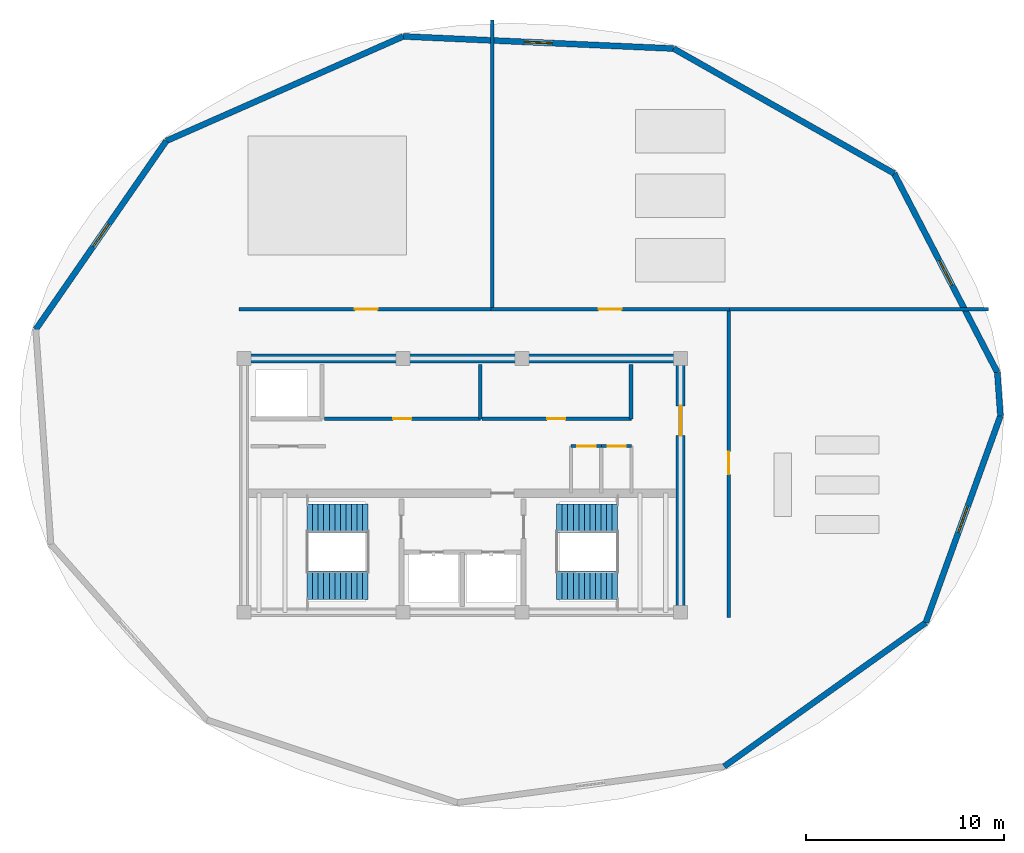
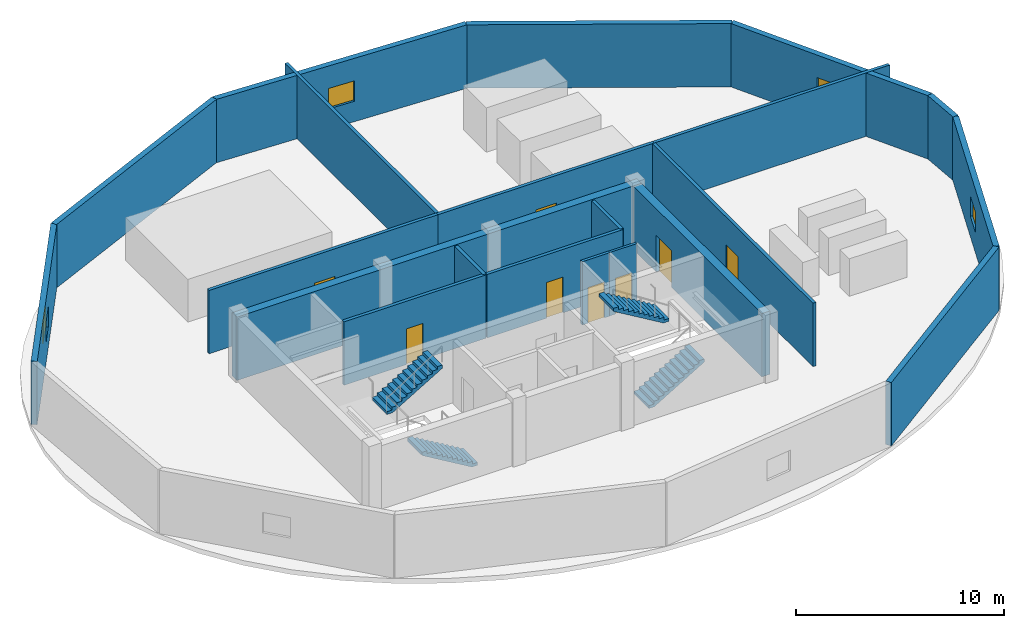
# One storey, part 2 of 5: 21 walls, 8 doors, 4 stair flights, 4 windows, 12 openings, 2 elements without a shape of their own.
"""IFC4 building model written with IfcOpenShell, lengths in metres."""

from ifc_helpers import new_model, si_unit, direction, frame, frame_2d, origin, place, context, subcontext, project, spatial, polyline, rectangle, outline, extrude, material, layer, layer_set, type_object, element, fill, aggregate, save


model = new_model("IFC4")

# Units and contexts
model_context = context("Model", 3, precision=1e-05, world=origin(), true_north=direction((0.0, 1.0)))
body_context = subcontext(model_context, "Body", "Model", "MODEL_VIEW")
ifc_project = project(units=[si_unit("LENGTHUNIT", "METRE"), si_unit("AREAUNIT", "SQUARE_METRE"), si_unit("VOLUMEUNIT", "CUBIC_METRE"), si_unit("PLANEANGLEUNIT", "RADIAN"), si_unit("MASSUNIT", "GRAM", prefix="KILO")], contexts=[model_context])

# Site, building, storey
site_placement = place(None, origin())
site = spatial("IfcSite", under=ifc_project, at=site_placement, CompositionType="ELEMENT")
building_placement = place(site_placement, origin())
building = spatial("IfcBuilding", under=site, at=building_placement, Name="Kazevale Care Tower and Concert Hall", CompositionType="ELEMENT")
storey_placement = place(building_placement, frame((0.0, 0.0, 296.800048828125)))
storey = spatial("IfcBuildingStorey", under=building, at=storey_placement, Name="L78", CompositionType="ELEMENT", Elevation=296.800048828125)

# Wall, opening, door
ifc_material_1 = material(Name="Acoustic Gypsum on Steel Stud", Category="steel")
ifc_layer_1 = layer(ifc_material_1, 0.139892578125)
ifc_layer_set_1 = layer_set([ifc_layer_1], Name="Acoustic Gypsum on Steel Stud")
wall_type_1 = type_object("IfcWallType", Name="Acoustic Care & Suite Partition 140", PredefinedType="PARTITIONING", material=ifc_layer_set_1)
wall_1_placement = place(storey_placement, frame((40.0, 31.97998046875, 0.0), z_axis=(0.0, 0.0, 1.0), x_axis=(1.0, 0.0, 0.0)))
wall_1 = element("IfcWall", 1, at=wall_1_placement, inside=storey, type_object=wall_type_1, Name="wall:L78:ka_en2", PredefinedType="PARTITIONING", context=body_context, shape_type="SweptSolid", body=[
    extrude(rectangle(XDim=1.52001953125, YDim=0.139892578125, at=frame_2d((0.760009765625, 0.0))), origin(), (0.0, 0.0, 1.0), 3.719970703125),
])
opening_1_placement = place(wall_1_placement, frame((0.320068359375, 0.0, 0.0)))
opening_1 = element("IfcOpeningElement", 2, at=opening_1_placement, cuts=wall_1, Name="Opening ID-900", PredefinedType="OPENING", context=body_context, shape_type="SweptSolid", body=[
    extrude(rectangle(XDim=0.919921875, YDim=2.10009765625, at=frame_2d((0.4599609375, 1.050048828125))), frame((0.0, 0.079833984375, 0.0), z_axis=(0.0, -1.0, 0.0), x_axis=(1.0, 0.0, 0.0)), (0.0, 0.0, 1.0), 0.159912109375),
])
ifc_material_2 = material(Name="Oak Timber Fire Leaf", Category="wood")
door_type_1 = type_object("IfcDoorType", Name="Bathroom & Service Door 920x2100", OperationType="NOTDEFINED", PredefinedType="DOOR", material=ifc_material_2)
door_1_placement = place(opening_1_placement, origin())
door_1 = element("IfcDoor", 3, at=door_1_placement, inside=storey, type_object=door_type_1, Name="door:L78:d_kae2", OperationType="SINGLE_SWING_RIGHT", OverallHeight=2.10009765625, OverallWidth=0.919921875, PredefinedType="DOOR", context=body_context, shape_type="SweptSolid", body=[
    extrude(rectangle(XDim=0.919921875, YDim=2.10009765625, at=frame_2d((0.4599609375, 1.050048828125))), frame((0.0, 0.02490234375, 0.0), z_axis=(0.0, -1.0, 0.0), x_axis=(1.0, 0.0, 0.0)), (0.0, 0.0, 1.0), 0.050048828125),
])
fill(opening_1, door_1)

# Wall
ifc_material_3 = material(Name="Concrete C50", Category="concrete")
ifc_layer_2 = layer(ifc_material_3, 0.449951171875)
ifc_layer_set_2 = layer_set([ifc_layer_2], Name="Concrete C50")
wall_type_2 = type_object("IfcWallType", Name="Core Shear Wall 450 C50", PredefinedType="SHEAR", material=ifc_layer_set_2)
wall_2_placement = place(storey_placement, frame((21.77490234375, 36.39990234375, 0.0), z_axis=(0.0, 0.0, 1.0), x_axis=(1.0, 0.0, 0.0)))
element("IfcWall", 4, at=wall_2_placement, inside=storey, type_object=wall_type_2, Name="wall:L78:core:N", PredefinedType="SHEAR", context=body_context, shape_type="SweptSolid", body=[
    extrude(rectangle(XDim=22.4501953125, YDim=0.449951171875, at=frame_2d((11.22509765625, 0.0))), origin(), (0.0, 0.0, 1.0), 3.719970703125),
])

# Wall, opening, door
wall_3_placement = place(storey_placement, frame((44.0, 23.824951171875, 0.0), z_axis=(0.0, 0.0, 1.0), x_axis=(0.0, 1.0, 0.0)))
wall_3 = element("IfcWall", 5, at=wall_3_placement, inside=storey, type_object=wall_type_2, Name="wall:L78:core:E", PredefinedType="SHEAR", context=body_context, shape_type="SweptSolid", body=[
    extrude(rectangle(XDim=12.35009765625, YDim=0.449951171875, at=frame_2d((6.175048828125, 0.0))), origin(), (0.0, 0.0, 1.0), 3.719970703125),
])
opening_2_placement = place(wall_3_placement, frame((8.675048828125, 0.0, 0.0)))
opening_2 = element("IfcOpeningElement", 6, at=opening_2_placement, cuts=wall_3, Name="Opening FD-60D", PredefinedType="OPENING", context=body_context, shape_type="SweptSolid", body=[
    extrude(rectangle(XDim=1.5, YDim=2.14990234375, at=frame_2d((0.75, 1.074951171875))), frame((0.0, 0.23486328125, 0.0), z_axis=(0.0, -1.0, 0.0), x_axis=(1.0, 0.0, 0.0)), (0.0, 0.0, 1.0), 0.469970703125),
])
door_type_2 = type_object("IfcDoorType", Name="Double Lobby & Auditorium Fire Door 1500x2150", OperationType="NOTDEFINED", PredefinedType="DOOR", material=ifc_material_2)
door_2_placement = place(opening_2_placement, origin())
door_2 = element("IfcDoor", 7, at=door_2_placement, inside=storey, type_object=door_type_2, Name="door:L78:core_east_out", OperationType="DOUBLE_DOOR_SINGLE_SWING", OverallHeight=2.14990234375, OverallWidth=1.5, PredefinedType="DOOR", context=body_context, shape_type="SweptSolid", body=[
    extrude(rectangle(XDim=1.5, YDim=2.14990234375, at=frame_2d((0.75, 1.074951171875))), frame((0.0, 0.02490234375, 0.0), z_axis=(0.0, -1.0, 0.0), x_axis=(1.0, 0.0, 0.0)), (0.0, 0.0, 1.0), 0.050048828125),
])
fill(opening_2, door_2)

# Wall, opening, window
ifc_material_4 = material(Name="Concrete C40 with Honed Limestone Cladding", Category="masonry")
ifc_layer_3 = layer(ifc_material_4, 0.300048828125)
ifc_layer_set_3 = layer_set([ifc_layer_3], Name="Concrete C40 with Honed Limestone Cladding")
wall_type_3 = type_object("IfcWallType", Name="Crown Drum Louvred Stone Wall 300", PredefinedType="STANDARD", material=ifc_layer_set_3)
wall_4_placement = place(storey_placement, frame((60.1201171875, 33.5, 0.0), z_axis=(0.0, 0.0, 1.0), x_axis=(-0.339587618367, -0.940574425259, 0.0)))
wall_4 = element("IfcWall", 8, at=wall_4_placement, inside=storey, type_object=wall_type_3, Name="wall:L78:drum:01", PredefinedType="STANDARD", context=body_context, shape_type="SweptSolid", body=[
    extrude(rectangle(XDim=11.08154296875, YDim=0.300048828125, at=frame_2d((5.540771484375, 0.0))), origin(), (0.0, 0.0, 1.0), 3.719970703125),
])
opening_3_placement = place(wall_4_placement, frame((4.841064453125, 0.0, 1.199951171875)))
opening_3 = element("IfcOpeningElement", 9, at=opening_3_placement, cuts=wall_4, Name="Opening WIN-4", PredefinedType="OPENING", context=body_context, shape_type="SweptSolid", body=[
    extrude(rectangle(XDim=1.39990234375, YDim=1.199951171875, at=frame_2d((0.699951171875, 0.60009765625))), frame((0.0, 0.159912109375, 0.0), z_axis=(0.0, -1.0, 0.0), x_axis=(1.0, 0.0, 0.0)), (0.0, 0.0, 1.0), 0.320068359375),
])
ifc_material_5 = material(Name="Aluminium 6063-T6", Category="aluminium")
window_type = type_object("IfcWindowType", Name="Crown Plant Louvred Window 1400x1200", PartitioningType="SINGLE_PANEL", PredefinedType="WINDOW", material=ifc_material_5)
window_1_placement = place(opening_3_placement, origin())
window_1 = element("IfcWindow", 10, at=window_1_placement, inside=storey, type_object=window_type, Name="win:L78:drum:01", OverallHeight=1.199951171875, OverallWidth=1.39990234375, PartitioningType="SINGLE_PANEL", PredefinedType="WINDOW", context=body_context, shape_type="SweptSolid", body=[
    extrude(rectangle(XDim=1.39990234375, YDim=1.199951171875, at=frame_2d((0.699951171875, 0.60009765625))), frame((0.0, 0.030029296875, 0.0), z_axis=(0.0, -1.0, 0.0), x_axis=(1.0, 0.0, 0.0)), (0.0, 0.0, 1.0), 0.06005859375),
])
fill(opening_3, window_1)

# Wall
wall_5_placement = place(storey_placement, frame((56.35693359375, 23.076904296875, 0.0), z_axis=(0.0, 0.0, 1.0), x_axis=(-0.814111303181, -0.580708865123, 0.0)))
element("IfcWall", 11, at=wall_5_placement, inside=storey, type_object=wall_type_3, Name="wall:L78:drum:02", PredefinedType="STANDARD", context=body_context, shape_type="SweptSolid", body=[
    extrude(rectangle(XDim=12.48095703125, YDim=0.300048828125, at=frame_2d((6.240478515625, 0.0))), origin(), (0.0, 0.0, 1.0), 3.719970703125),
])

# Wall, opening, window
wall_6_placement = place(storey_placement, frame((11.4951171875, 37.85595703125, 0.0), z_axis=(0.0, 0.0, 1.0), x_axis=(0.569269280193, 0.822151133691, 0.0)))
wall_6 = element("IfcWall", 12, at=wall_6_placement, inside=storey, type_object=wall_type_3, Name="wall:L78:drum:07", PredefinedType="STANDARD", context=body_context, shape_type="SweptSolid", body=[
    extrude(rectangle(XDim=11.56005859375, YDim=0.300048828125, at=frame_2d((5.780029296875, 0.0))), origin(), (0.0, 0.0, 1.0), 3.719970703125),
])
opening_4_placement = place(wall_6_placement, frame((5.080078125, 0.0, 1.199951171875)))
opening_4 = element("IfcOpeningElement", 13, at=opening_4_placement, cuts=wall_6, Name="Opening WIN-4", PredefinedType="OPENING", context=body_context, shape_type="SweptSolid", body=[
    extrude(rectangle(XDim=1.39990234375, YDim=1.199951171875, at=frame_2d((0.699951171875, 0.60009765625))), frame((0.0, 0.159912109375, 0.0), z_axis=(0.0, -1.0, 0.0), x_axis=(1.0, 0.0, 0.0)), (0.0, 0.0, 1.0), 0.320068359375),
])
window_2_placement = place(opening_4_placement, origin())
window_2 = element("IfcWindow", 14, at=window_2_placement, inside=storey, type_object=window_type, Name="win:L78:drum:07", OverallHeight=1.199951171875, OverallWidth=1.39990234375, PartitioningType="SINGLE_PANEL", PredefinedType="WINDOW", context=body_context, shape_type="SweptSolid", body=[
    extrude(rectangle(XDim=1.39990234375, YDim=1.199951171875, at=frame_2d((0.699951171875, 0.60009765625))), frame((0.0, 0.030029296875, 0.0), z_axis=(0.0, -1.0, 0.0), x_axis=(1.0, 0.0, 0.0)), (0.0, 0.0, 1.0), 0.06005859375),
])
fill(opening_4, window_2)

# Wall
wall_7_placement = place(storey_placement, frame((18.075927734375, 47.360107421875, 0.0), z_axis=(0.0, 0.0, 1.0), x_axis=(0.914943001047, 0.40358308294, 0.0)))
element("IfcWall", 15, at=wall_7_placement, inside=storey, type_object=wall_type_3, Name="wall:L78:drum:08", PredefinedType="STANDARD", context=body_context, shape_type="SweptSolid", body=[
    extrude(rectangle(XDim=13.0478515625, YDim=0.300048828125, at=frame_2d((6.52392578125, 0.0))), origin(), (0.0, 0.0, 1.0), 3.719970703125),
])

# Wall, opening, window
wall_8_placement = place(storey_placement, frame((30.013916015625, 52.6259765625, 0.0), z_axis=(0.0, 0.0, 1.0), x_axis=(0.998996211569, -0.04479474602, 0.0)))
wall_8 = element("IfcWall", 16, at=wall_8_placement, inside=storey, type_object=wall_type_3, Name="wall:L78:drum:09", PredefinedType="STANDARD", context=body_context, shape_type="SweptSolid", body=[
    extrude(rectangle(XDim=13.641845703125, YDim=0.300048828125, at=frame_2d((6.82080078125, 0.0))), origin(), (0.0, 0.0, 1.0), 3.719970703125),
])
opening_5_placement = place(wall_8_placement, frame((6.12109375, 0.0, 1.199951171875)))
opening_5 = element("IfcOpeningElement", 17, at=opening_5_placement, cuts=wall_8, Name="Opening WIN-4", PredefinedType="OPENING", context=body_context, shape_type="SweptSolid", body=[
    extrude(rectangle(XDim=1.39990234375, YDim=1.199951171875, at=frame_2d((0.699951171875, 0.60009765625))), frame((0.0, 0.159912109375, 0.0), z_axis=(0.0, -1.0, 0.0), x_axis=(1.0, 0.0, 0.0)), (0.0, 0.0, 1.0), 0.320068359375),
])
window_3_placement = place(opening_5_placement, origin())
window_3 = element("IfcWindow", 18, at=window_3_placement, inside=storey, type_object=window_type, Name="win:L78:drum:09", OverallHeight=1.199951171875, OverallWidth=1.39990234375, PartitioningType="SINGLE_PANEL", PredefinedType="WINDOW", context=body_context, shape_type="SweptSolid", body=[
    extrude(rectangle(XDim=1.39990234375, YDim=1.199951171875, at=frame_2d((0.699951171875, 0.60009765625))), frame((0.0, 0.030029296875, 0.0), z_axis=(0.0, -1.0, 0.0), x_axis=(1.0, 0.0, 0.0)), (0.0, 0.0, 1.0), 0.06005859375),
])
fill(opening_5, window_3)

# Wall
wall_9_placement = place(storey_placement, frame((43.64208984375, 52.014892578125, 0.0), z_axis=(0.0, 0.0, 1.0), x_axis=(0.870169378253, -0.492752730232, 0.0)))
element("IfcWall", 19, at=wall_9_placement, inside=storey, type_object=wall_type_3, Name="wall:L78:drum:10", PredefinedType="STANDARD", context=body_context, shape_type="SweptSolid", body=[
    extrude(rectangle(XDim=12.779052734375, YDim=0.300048828125, at=frame_2d((6.3896484375, 0.0))), origin(), (0.0, 0.0, 1.0), 3.719970703125),
])

# Wall, opening, window
wall_10_placement = place(storey_placement, frame((54.761962890625, 45.718017578125, 0.0), z_axis=(0.0, 0.0, 1.0), x_axis=(0.460623742834, -0.8875954977, 0.0)))
wall_10 = element("IfcWall", 20, at=wall_10_placement, inside=storey, type_object=wall_type_3, Name="wall:L78:drum:11", PredefinedType="STANDARD", context=body_context, shape_type="SweptSolid", body=[
    extrude(rectangle(XDim=11.2958984375, YDim=0.300048828125, at=frame_2d((5.64794921875, 0.0))), origin(), (0.0, 0.0, 1.0), 3.719970703125),
])
opening_6_placement = place(wall_10_placement, frame((4.947998046875, 0.0, 1.199951171875)))
opening_6 = element("IfcOpeningElement", 21, at=opening_6_placement, cuts=wall_10, Name="Opening WIN-4", PredefinedType="OPENING", context=body_context, shape_type="SweptSolid", body=[
    extrude(rectangle(XDim=1.39990234375, YDim=1.199951171875, at=frame_2d((0.699951171875, 0.60009765625))), frame((0.0, 0.159912109375, 0.0), z_axis=(0.0, -1.0, 0.0), x_axis=(1.0, 0.0, 0.0)), (0.0, 0.0, 1.0), 0.320068359375),
])
window_4_placement = place(opening_6_placement, origin())
window_4 = element("IfcWindow", 22, at=window_4_placement, inside=storey, type_object=window_type, Name="win:L78:drum:11", OverallHeight=1.199951171875, OverallWidth=1.39990234375, PartitioningType="SINGLE_PANEL", PredefinedType="WINDOW", context=body_context, shape_type="SweptSolid", body=[
    extrude(rectangle(XDim=1.39990234375, YDim=1.199951171875, at=frame_2d((0.699951171875, 0.60009765625))), frame((0.0, 0.030029296875, 0.0), z_axis=(0.0, -1.0, 0.0), x_axis=(1.0, 0.0, 0.0)), (0.0, 0.0, 1.0), 0.06005859375),
])
fill(opening_6, window_4)

# Wall
wall_11_placement = place(storey_placement, frame((59.965087890625, 35.69189453125, 0.0), z_axis=(0.0, 0.0, 1.0), x_axis=(0.070552198309, -0.997508088846, 0.0)))
element("IfcWall", 23, at=wall_11_placement, inside=storey, type_object=wall_type_3, Name="wall:L78:drum:12", PredefinedType="STANDARD", context=body_context, shape_type="SweptSolid", body=[
    extrude(rectangle(XDim=2.197265625, YDim=0.300048828125, at=frame_2d((1.0986328125, 0.0))), origin(), (0.0, 0.0, 1.0), 3.719970703125),
])

# Wall, opening, door
ifc_material_6 = material(Name="Concrete C40 and Acoustic Gypsum", Category="concrete")
ifc_layer_4 = layer(ifc_material_6, 0.179931640625)
ifc_layer_set_4 = layer_set([ifc_layer_4], Name="Concrete C40 and Acoustic Gypsum")
wall_type_4 = type_object("IfcWallType", Name="Fire-Rated Corridor & Party Wall 180", PredefinedType="PARTITIONING", material=ifc_layer_set_4)
wall_12_placement = place(storey_placement, frame((26.050048828125, 33.35009765625, 0.0), z_axis=(0.0, 0.0, 1.0), x_axis=(1.0, 0.0, 0.0)))
wall_12 = element("IfcWall", 24, at=wall_12_placement, inside=storey, type_object=wall_type_4, Name="wall:L78:c_cps_s", PredefinedType="PARTITIONING", context=body_context, shape_type="SweptSolid", body=[
    extrude(rectangle(XDim=7.869873046875, YDim=0.179931640625, at=frame_2d((3.93505859375, 0.0))), origin(), (0.0, 0.0, 1.0), 3.719970703125),
])
opening_7_placement = place(wall_12_placement, frame((3.4599609375, 0.0, 0.0)))
opening_7 = element("IfcOpeningElement", 25, at=opening_7_placement, cuts=wall_12, Name="Opening ID-900", PredefinedType="OPENING", context=body_context, shape_type="SweptSolid", body=[
    extrude(rectangle(XDim=0.919921875, YDim=2.10009765625, at=frame_2d((0.4599609375, 1.050048828125))), frame((0.0, 0.099853515625, 0.0), z_axis=(0.0, -1.0, 0.0), x_axis=(1.0, 0.0, 0.0)), (0.0, 0.0, 1.0), 0.199951171875),
])
door_3_placement = place(opening_7_placement, origin())
door_3 = element("IfcDoor", 26, at=door_3_placement, inside=storey, type_object=door_type_1, Name="door:L78:d_cps", OperationType="SINGLE_SWING_LEFT", OverallHeight=2.10009765625, OverallWidth=0.919921875, PredefinedType="DOOR", context=body_context, shape_type="SweptSolid", body=[
    extrude(rectangle(XDim=0.919921875, YDim=2.10009765625, at=frame_2d((0.4599609375, 1.050048828125))), frame((0.0, 0.02490234375, 0.0), z_axis=(0.0, -1.0, 0.0), x_axis=(1.0, 0.0, 0.0)), (0.0, 0.0, 1.0), 0.050048828125),
])
fill(opening_7, door_3)

# Wall
wall_13_placement = place(storey_placement, frame((33.89990234375, 33.35009765625, 0.0), z_axis=(0.0, 0.0, 1.0), x_axis=(0.0, 1.0, 0.0)))
element("IfcWall", 27, at=wall_13_placement, inside=storey, type_object=wall_type_4, Name="wall:L78:c_cps_e", PredefinedType="PARTITIONING", context=body_context, shape_type="SweptSolid", body=[
    extrude(rectangle(XDim=2.75, YDim=0.179931640625, at=frame_2d((1.375, 0.0))), origin(), (0.0, 0.0, 1.0), 3.719970703125),
])

# Wall, opening, door
wall_14_placement = place(storey_placement, frame((33.97998046875, 33.35009765625, 0.0), z_axis=(0.0, 0.0, 1.0), x_axis=(1.0, 0.0, 0.0)))
wall_14 = element("IfcWall", 28, at=wall_14_placement, inside=storey, type_object=wall_type_4, Name="wall:L78:c_pma_s", PredefinedType="PARTITIONING", context=body_context, shape_type="SweptSolid", body=[
    extrude(rectangle(XDim=7.5400390625, YDim=0.179931640625, at=frame_2d((3.77001953125, 0.0))), origin(), (0.0, 0.0, 1.0), 3.719970703125),
])
opening_8_placement = place(wall_14_placement, frame((3.294921875, 0.0, 0.0)))
opening_8 = element("IfcOpeningElement", 29, at=opening_8_placement, cuts=wall_14, Name="Opening ID-900", PredefinedType="OPENING", context=body_context, shape_type="SweptSolid", body=[
    extrude(rectangle(XDim=0.919921875, YDim=2.10009765625, at=frame_2d((0.4599609375, 1.050048828125))), frame((0.0, 0.099853515625, 0.0), z_axis=(0.0, -1.0, 0.0), x_axis=(1.0, 0.0, 0.0)), (0.0, 0.0, 1.0), 0.199951171875),
])
door_4_placement = place(opening_8_placement, origin())
door_4 = element("IfcDoor", 30, at=door_4_placement, inside=storey, type_object=door_type_1, Name="door:L78:d_pma", OperationType="SINGLE_SWING_LEFT", OverallHeight=2.10009765625, OverallWidth=0.919921875, PredefinedType="DOOR", context=body_context, shape_type="SweptSolid", body=[
    extrude(rectangle(XDim=0.919921875, YDim=2.10009765625, at=frame_2d((0.4599609375, 1.050048828125))), frame((0.0, 0.02490234375, 0.0), z_axis=(0.0, -1.0, 0.0), x_axis=(1.0, 0.0, 0.0)), (0.0, 0.0, 1.0), 0.050048828125),
])
fill(opening_8, door_4)

# Wall
wall_15_placement = place(storey_placement, frame((41.5, 33.35009765625, 0.0), z_axis=(0.0, 0.0, 1.0), x_axis=(0.0, 1.0, 0.0)))
element("IfcWall", 31, at=wall_15_placement, inside=storey, type_object=wall_type_4, Name="wall:L78:c_pma_e", PredefinedType="PARTITIONING", context=body_context, shape_type="SweptSolid", body=[
    extrude(rectangle(XDim=2.75, YDim=0.179931640625, at=frame_2d((1.375, 0.0))), origin(), (0.0, 0.0, 1.0), 3.719970703125),
])

# Wall, opening, door
wall_16_placement = place(storey_placement, frame((21.7451171875, 38.875, 0.0), z_axis=(0.0, 0.0, 1.0), x_axis=(1.0, 0.0, 0.0)))
wall_16 = element("IfcWall", 32, at=wall_16_placement, inside=storey, type_object=wall_type_4, Name="wall:L78:auto_001", PredefinedType="PARTITIONING", context=body_context, shape_type="SweptSolid", body=[
    extrude(rectangle(XDim=12.81982421875, YDim=0.179931640625, at=frame_2d((6.409912109375, 0.0))), origin(), (0.0, 0.0, 1.0), 3.719970703125),
])
opening_9_placement = place(wall_16_placement, frame((5.8349609375, 0.0, 0.0)))
opening_9 = element("IfcOpeningElement", 33, at=opening_9_placement, cuts=wall_16, Name="Opening FD-90", PredefinedType="OPENING", context=body_context, shape_type="SweptSolid", body=[
    extrude(rectangle(XDim=1.14990234375, YDim=2.10009765625, at=frame_2d((0.574951171875, 1.050048828125))), frame((0.0, 0.099853515625, 0.0), z_axis=(0.0, -1.0, 0.0), x_axis=(1.0, 0.0, 0.0)), (0.0, 0.0, 1.0), 0.199951171875),
])
ifc_material_7 = material(Name="Steel ASTM A572 Gr 50", Category="steel")
door_type_3 = type_object("IfcDoorType", Name="Pressurized Stair & Lobby Fire Door 1150x2100", OperationType="NOTDEFINED", PredefinedType="DOOR", material=ifc_material_7)
door_5_placement = place(opening_9_placement, origin())
door_5 = element("IfcDoor", 34, at=door_5_placement, inside=storey, type_object=door_type_3, Name="door:L78:ad_001", OperationType="SINGLE_SWING_LEFT", OverallHeight=2.10009765625, OverallWidth=1.14990234375, PredefinedType="DOOR", context=body_context, shape_type="SweptSolid", body=[
    extrude(rectangle(XDim=1.14990234375, YDim=2.10009765625, at=frame_2d((0.574951171875, 1.050048828125))), frame((0.0, 0.02490234375, 0.0), z_axis=(0.0, -1.0, 0.0), x_axis=(1.0, 0.0, 0.0)), (0.0, 0.0, 1.0), 0.050048828125),
])
fill(opening_9, door_5)

wall_17_placement = place(storey_placement, frame((34.43505859375, 38.875, 0.0), z_axis=(0.0, 0.0, 1.0), x_axis=(1.0, 0.0, 0.0)))
wall_17 = element("IfcWall", 35, at=wall_17_placement, inside=storey, type_object=wall_type_4, Name="wall:L78:auto_002", PredefinedType="PARTITIONING", context=body_context, shape_type="SweptSolid", body=[
    extrude(rectangle(XDim=12.02001953125, YDim=0.179931640625, at=frame_2d((6.010009765625, 0.0))), origin(), (0.0, 0.0, 1.0), 3.719970703125),
])
opening_10_placement = place(wall_17_placement, frame((5.43505859375, 0.0, 0.0)))
opening_10 = element("IfcOpeningElement", 36, at=opening_10_placement, cuts=wall_17, Name="Opening FD-90", PredefinedType="OPENING", context=body_context, shape_type="SweptSolid", body=[
    extrude(rectangle(XDim=1.14990234375, YDim=2.10009765625, at=frame_2d((0.574951171875, 1.050048828125))), frame((0.0, 0.099853515625, 0.0), z_axis=(0.0, -1.0, 0.0), x_axis=(1.0, 0.0, 0.0)), (0.0, 0.0, 1.0), 0.199951171875),
])
door_6_placement = place(opening_10_placement, origin())
door_6 = element("IfcDoor", 37, at=door_6_placement, inside=storey, type_object=door_type_3, Name="door:L78:ad_002", OperationType="SINGLE_SWING_LEFT", OverallHeight=2.10009765625, OverallWidth=1.14990234375, PredefinedType="DOOR", context=body_context, shape_type="SweptSolid", body=[
    extrude(rectangle(XDim=1.14990234375, YDim=2.10009765625, at=frame_2d((0.574951171875, 1.050048828125))), frame((0.0, 0.02490234375, 0.0), z_axis=(0.0, -1.0, 0.0), x_axis=(1.0, 0.0, 0.0)), (0.0, 0.0, 1.0), 0.050048828125),
])
fill(opening_10, door_6)

wall_18_placement = place(storey_placement, frame((46.425048828125, 38.905029296875, 0.0), z_axis=(0.0, 0.0, 1.0), x_axis=(0.0, -1.0, 0.0)))
wall_18 = element("IfcWall", 38, at=wall_18_placement, inside=storey, type_object=wall_type_4, Name="wall:L78:auto_003", PredefinedType="PARTITIONING", context=body_context, shape_type="SweptSolid", body=[
    extrude(rectangle(XDim=15.56005859375, YDim=0.179931640625, at=frame_2d((7.780029296875, 0.0))), origin(), (0.0, 0.0, 1.0), 3.719970703125),
])
opening_11_placement = place(wall_18_placement, frame((7.205078125, 0.0, 0.0)))
opening_11 = element("IfcOpeningElement", 39, at=opening_11_placement, cuts=wall_18, Name="Opening FD-90", PredefinedType="OPENING", context=body_context, shape_type="SweptSolid", body=[
    extrude(rectangle(XDim=1.14990234375, YDim=2.10009765625, at=frame_2d((0.574951171875, 1.050048828125))), frame((0.0, 0.099853515625, 0.0), z_axis=(0.0, -1.0, 0.0), x_axis=(1.0, 0.0, 0.0)), (0.0, 0.0, 1.0), 0.199951171875),
])
door_7_placement = place(opening_11_placement, origin())
door_7 = element("IfcDoor", 40, at=door_7_placement, inside=storey, type_object=door_type_3, Name="door:L78:ad_003", OperationType="SINGLE_SWING_LEFT", OverallHeight=2.10009765625, OverallWidth=1.14990234375, PredefinedType="DOOR", context=body_context, shape_type="SweptSolid", body=[
    extrude(rectangle(XDim=1.14990234375, YDim=2.10009765625, at=frame_2d((0.574951171875, 1.050048828125))), frame((0.0, 0.02490234375, 0.0), z_axis=(0.0, -1.0, 0.0), x_axis=(1.0, 0.0, 0.0)), (0.0, 0.0, 1.0), 0.050048828125),
])
fill(opening_11, door_7)

# Walls
wall_19_placement = place(storey_placement, frame((34.5, 53.455078125, 0.0), z_axis=(0.0, 0.0, 1.0), x_axis=(0.0, -1.0, 0.0)))
element("IfcWall", 41, at=wall_19_placement, inside=storey, type_object=wall_type_4, Name="wall:L78:auto_004", PredefinedType="PARTITIONING", context=body_context, shape_type="SweptSolid", body=[
    extrude(rectangle(XDim=14.610107421875, YDim=0.179931640625, at=frame_2d((7.30517578125, 0.0))), origin(), (0.0, 0.0, 1.0), 3.719970703125),
])
wall_20_placement = place(storey_placement, frame((59.51708984375, 38.875, 0.0), z_axis=(0.0, 0.0, 1.0), x_axis=(-1.0, 0.0, 0.0)))
element("IfcWall", 42, at=wall_20_placement, inside=storey, type_object=wall_type_4, Name="wall:L78:auto_005", PredefinedType="PARTITIONING", context=body_context, shape_type="SweptSolid", body=[
    extrude(rectangle(XDim=13.156982421875, YDim=0.179931640625, at=frame_2d((6.57861328125, 0.0))), origin(), (0.0, 0.0, 1.0), 3.719970703125),
])

# Wall, opening, door
ifc_layer_5 = layer(ifc_material_1, 0.159912109375)
ifc_layer_set_5 = layer_set([ifc_layer_5], Name="Acoustic Gypsum on Steel Stud")
wall_type_5 = type_object("IfcWallType", Name="Moisture-Resistant Bathroom Plumbing Wall 160", PredefinedType="PLUMBINGWALL", material=ifc_layer_set_5)
wall_21_placement = place(storey_placement, frame((38.47998046875, 31.97998046875, 0.0), z_axis=(0.0, 0.0, 1.0), x_axis=(1.0, 0.0, 0.0)))
wall_21 = element("IfcWall", 43, at=wall_21_placement, inside=storey, type_object=wall_type_5, Name="wall:L78:ka_en1", PredefinedType="PLUMBINGWALL", context=body_context, shape_type="SweptSolid", body=[
    extrude(rectangle(XDim=1.52001953125, YDim=0.159912109375, at=frame_2d((0.760009765625, 0.0))), origin(), (0.0, 0.0, 1.0), 3.719970703125),
])
opening_12_placement = place(wall_21_placement, frame((0.320068359375, 0.0, 0.0)))
opening_12 = element("IfcOpeningElement", 44, at=opening_12_placement, cuts=wall_21, Name="Opening ID-900", PredefinedType="OPENING", context=body_context, shape_type="SweptSolid", body=[
    extrude(rectangle(XDim=0.919921875, YDim=2.10009765625, at=frame_2d((0.4599609375, 1.050048828125))), frame((0.0, 0.08984375, 0.0), z_axis=(0.0, -1.0, 0.0), x_axis=(1.0, 0.0, 0.0)), (0.0, 0.0, 1.0), 0.179931640625),
])
door_8_placement = place(opening_12_placement, origin())
door_8 = element("IfcDoor", 45, at=door_8_placement, inside=storey, type_object=door_type_1, Name="door:L78:d_kae1", OperationType="SINGLE_SWING_LEFT", OverallHeight=2.10009765625, OverallWidth=0.919921875, PredefinedType="DOOR", context=body_context, shape_type="SweptSolid", body=[
    extrude(rectangle(XDim=0.919921875, YDim=2.10009765625, at=frame_2d((0.4599609375, 1.050048828125))), frame((0.0, 0.02490234375, 0.0), z_axis=(0.0, -1.0, 0.0), x_axis=(1.0, 0.0, 0.0)), (0.0, 0.0, 1.0), 0.050048828125),
])
fill(opening_12, door_8)

# Stair, stair flights
ifc_material_8 = material(Name="Concrete C40", Category="concrete")
stair_type = type_object("IfcStairType", Name="Exit Stair Assembly ST1-C", PredefinedType="HALF_TURN_STAIR", material=ifc_material_8)
stair_1_placement = place(storey_placement, origin())
stair_1 = element("IfcStair", 46, at=stair_1_placement, inside=storey, type_object=stair_type, Name="stair:L78:ST1", PredefinedType="HALF_TURN_STAIR")
ifc_layer_6 = layer(ifc_material_8, 0.159912109375)
ifc_layer_set_6 = layer_set([ifc_layer_6], Name="Concrete C40")
stair_flight_type = type_object("IfcStairFlightType", Name="Exit Stair Flight ST1-C", PredefinedType="STRAIGHT", material=ifc_layer_set_6)
stair_flight_1_placement = place(storey_placement, frame((28.25, 24.9599609375, 0.0), z_axis=(0.0, 0.0, 1.0), x_axis=(-1.0, 0.0, 0.0)))
stair_flight_1 = element("IfcStairFlight", 47, at=stair_flight_1_placement, type_object=stair_flight_type, Name="ST1-C flight 1", NumberOfRisers=12, NumberOfTreads=11, PredefinedType="STRAIGHT", RiserHeight=0.166667, TreadLength=0.28, context=body_context, shape_type="SweptSolid", body=[
    extrude(outline(polyline([(0.0, 0.0), (0.0, 0.166748046875), (0.280029296875, 0.166748046875), (0.280029296875, 0.333251953125), (0.56005859375, 0.333251953125), (0.56005859375, 0.5), (0.840087890625, 0.5), (0.840087890625, 0.666748046875), (1.1201171875, 0.666748046875), (1.1201171875, 0.833251953125), (1.39990234375, 0.833251953125), (1.39990234375, 1.0), (1.679931640625, 1.0), (1.679931640625, 1.166748046875), (1.9599609375, 1.166748046875), (1.9599609375, 1.333251953125), (2.239990234375, 1.333251953125), (2.239990234375, 1.5), (2.52001953125, 1.5), (2.52001953125, 1.666748046875), (2.800048828125, 1.666748046875), (2.800048828125, 1.833251953125), (3.080078125, 1.833251953125), (3.080078125, 2.0), (3.080078125, 1.647216796875), (0.312744140625, 0.0), (0.0, 0.0)])), frame((0.0, 0.7099609375, 0.0), z_axis=(0.0, -1.0, 0.0), x_axis=(1.0, 0.0, 0.0)), (0.0, 0.0, 1.0), 1.419921875),
])
stair_flight_2_placement = place(storey_placement, frame((25.169921875, 28.340087890625, 2.0), z_axis=(0.0, 0.0, 1.0), x_axis=(1.0, 0.0, 0.0)))
stair_flight_2 = element("IfcStairFlight", 48, at=stair_flight_2_placement, type_object=stair_flight_type, Name="ST1-C flight 2", NumberOfRisers=12, NumberOfTreads=11, PredefinedType="STRAIGHT", RiserHeight=0.166667, TreadLength=0.28, context=body_context, shape_type="SweptSolid", body=[
    extrude(outline(polyline([(0.0, 0.0), (0.0, 0.166748046875), (0.280029296875, 0.166748046875), (0.280029296875, 0.333251953125), (0.56005859375, 0.333251953125), (0.56005859375, 0.5), (0.840087890625, 0.5), (0.840087890625, 0.666748046875), (1.1201171875, 0.666748046875), (1.1201171875, 0.833251953125), (1.39990234375, 0.833251953125), (1.39990234375, 1.0), (1.679931640625, 1.0), (1.679931640625, 1.166748046875), (1.9599609375, 1.166748046875), (1.9599609375, 1.333251953125), (2.239990234375, 1.333251953125), (2.239990234375, 1.5), (2.52001953125, 1.5), (2.52001953125, 1.666748046875), (2.800048828125, 1.666748046875), (2.800048828125, 1.833251953125), (3.080078125, 1.833251953125), (3.080078125, 2.0), (3.080078125, 1.647216796875), (0.312744140625, 0.0), (0.0, 0.0)])), frame((0.0, 0.7099609375, 0.0), z_axis=(0.0, -1.0, 0.0), x_axis=(1.0, 0.0, 0.0)), (0.0, 0.0, 1.0), 1.419921875),
])
aggregate(stair_1, [stair_flight_1, stair_flight_2])

stair_2_placement = place(storey_placement, origin())
stair_2 = element("IfcStair", 49, at=stair_2_placement, inside=storey, type_object=stair_type, Name="stair:L78:ST2", PredefinedType="HALF_TURN_STAIR")
stair_flight_3_placement = place(storey_placement, frame((37.75, 24.9599609375, 0.0), z_axis=(0.0, 0.0, 1.0), x_axis=(1.0, 0.0, 0.0)))
stair_flight_3 = element("IfcStairFlight", 50, at=stair_flight_3_placement, type_object=stair_flight_type, Name="ST1-C flight 1", NumberOfRisers=12, NumberOfTreads=11, PredefinedType="STRAIGHT", RiserHeight=0.166667, TreadLength=0.28, context=body_context, shape_type="SweptSolid", body=[
    extrude(outline(polyline([(0.0, 0.0), (0.0, 0.166748046875), (0.280029296875, 0.166748046875), (0.280029296875, 0.333251953125), (0.56005859375, 0.333251953125), (0.56005859375, 0.5), (0.840087890625, 0.5), (0.840087890625, 0.666748046875), (1.1201171875, 0.666748046875), (1.1201171875, 0.833251953125), (1.39990234375, 0.833251953125), (1.39990234375, 1.0), (1.679931640625, 1.0), (1.679931640625, 1.166748046875), (1.9599609375, 1.166748046875), (1.9599609375, 1.333251953125), (2.239990234375, 1.333251953125), (2.239990234375, 1.5), (2.52001953125, 1.5), (2.52001953125, 1.666748046875), (2.800048828125, 1.666748046875), (2.800048828125, 1.833251953125), (3.080078125, 1.833251953125), (3.080078125, 2.0), (3.080078125, 1.647216796875), (0.312744140625, 0.0), (0.0, 0.0)])), frame((0.0, 0.7099609375, 0.0), z_axis=(0.0, -1.0, 0.0), x_axis=(1.0, 0.0, 0.0)), (0.0, 0.0, 1.0), 1.419921875),
])
stair_flight_4_placement = place(storey_placement, frame((40.830078125, 28.340087890625, 2.0), z_axis=(0.0, 0.0, 1.0), x_axis=(-1.0, 0.0, 0.0)))
stair_flight_4 = element("IfcStairFlight", 51, at=stair_flight_4_placement, type_object=stair_flight_type, Name="ST1-C flight 2", NumberOfRisers=12, NumberOfTreads=11, PredefinedType="STRAIGHT", RiserHeight=0.166667, TreadLength=0.28, context=body_context, shape_type="SweptSolid", body=[
    extrude(outline(polyline([(0.0, 0.0), (0.0, 0.166748046875), (0.280029296875, 0.166748046875), (0.280029296875, 0.333251953125), (0.56005859375, 0.333251953125), (0.56005859375, 0.5), (0.840087890625, 0.5), (0.840087890625, 0.666748046875), (1.1201171875, 0.666748046875), (1.1201171875, 0.833251953125), (1.39990234375, 0.833251953125), (1.39990234375, 1.0), (1.679931640625, 1.0), (1.679931640625, 1.166748046875), (1.9599609375, 1.166748046875), (1.9599609375, 1.333251953125), (2.239990234375, 1.333251953125), (2.239990234375, 1.5), (2.52001953125, 1.5), (2.52001953125, 1.666748046875), (2.800048828125, 1.666748046875), (2.800048828125, 1.833251953125), (3.080078125, 1.833251953125), (3.080078125, 2.0), (3.080078125, 1.647216796875), (0.312744140625, 0.0), (0.0, 0.0)])), frame((0.0, 0.7099609375, 0.0), z_axis=(0.0, -1.0, 0.0), x_axis=(1.0, 0.0, 0.0)), (0.0, 0.0, 1.0), 1.419921875),
])
aggregate(stair_2, [stair_flight_3, stair_flight_4])

save(model, "model.ifc")
